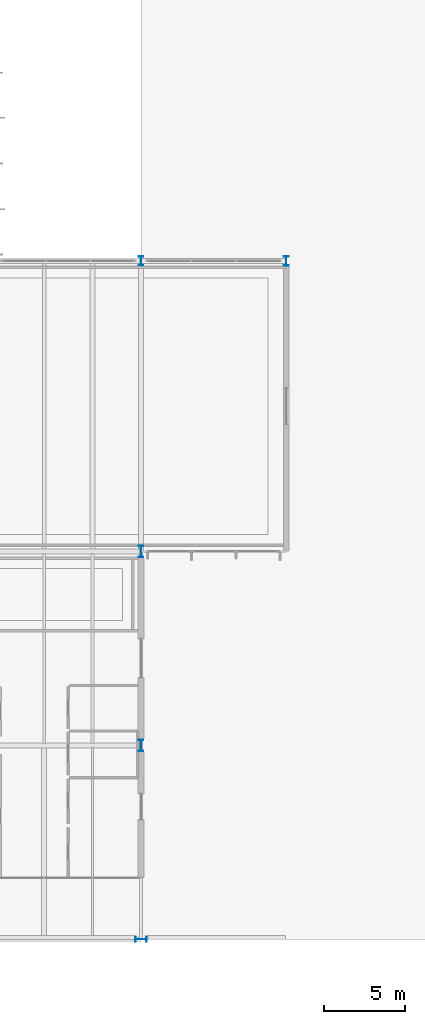
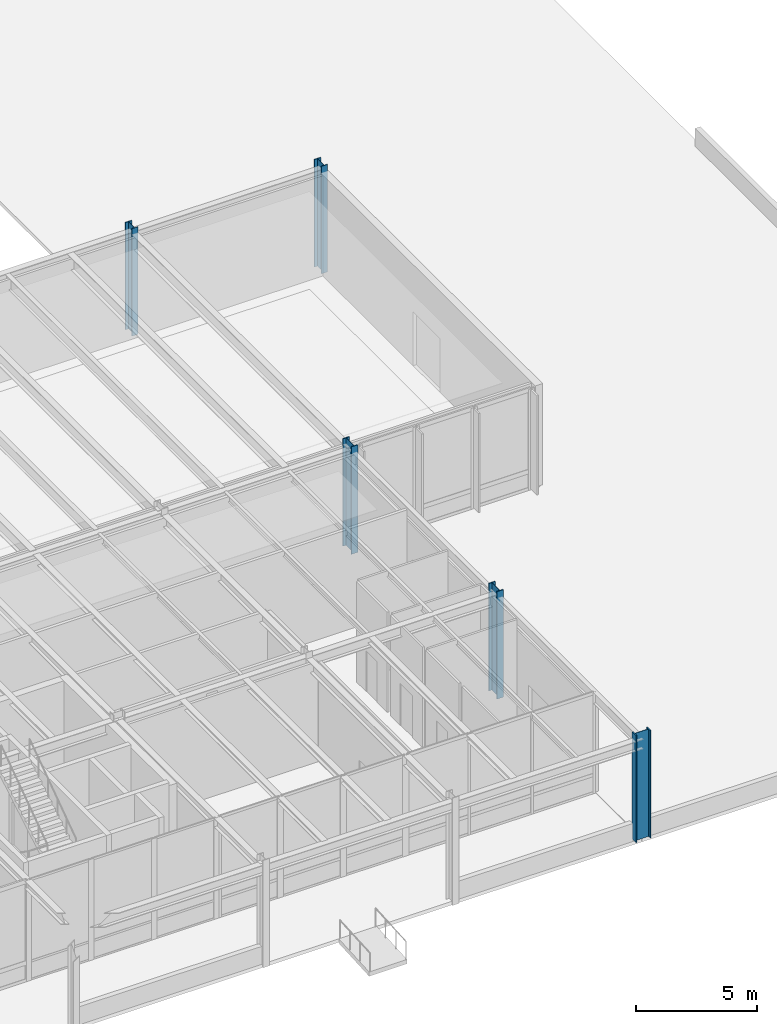
# One storey, part 16 of 143: 5 columns.
"""IFC4 building model written with IfcOpenShell, lengths in metres."""

from ifc_helpers import new_model, si_unit, direction, frame, origin, origin_2d, place, context, subcontext, project, spatial, i_section, extrude, material, material_profile, profile_set, type_object, element, save


model = new_model("IFC4")

# Units and contexts
model_context = context("Model", 3, precision=1e-05, world=origin(), true_north=direction((0.0, 1.0)))
body_context = subcontext(model_context, "Body", "Model", "MODEL_VIEW")
ifc_project = project(units=[si_unit("LENGTHUNIT", "METRE"), si_unit("AREAUNIT", "SQUARE_METRE"), si_unit("VOLUMEUNIT", "CUBIC_METRE"), si_unit("PLANEANGLEUNIT", "RADIAN"), si_unit("MASSUNIT", "GRAM", prefix="KILO")], contexts=[model_context])

# Site, building, storey
site_placement = place(None, origin())
site = spatial("IfcSite", under=ifc_project, at=site_placement, CompositionType="ELEMENT")
building_placement = place(site_placement, origin())
building = spatial("IfcBuilding", under=site, at=building_placement, Name="Montelvaro Courts of Justice", CompositionType="ELEMENT")
storey_placement = place(building_placement, origin())
storey = spatial("IfcBuildingStorey", under=building, at=storey_placement, Name="L00", CompositionType="ELEMENT", Elevation=0.0)

# Columns
ifc_material = material(Name="Steel S355", Category="steel")
ifc_material_profile_1 = material_profile(ifc_material, i_section(OverallWidth=0.300048828125, OverallDepth=0.550048828125, WebThickness=0.014892578125, FlangeThickness=0.029052734375, at=origin_2d()), Name="HEB 550")
ifc_profile_set_1 = profile_set([ifc_material_profile_1], Name="Steel S355")
column_type_1 = type_object("IfcColumnType", Name="Col_HEB550", PredefinedType="COLUMN", material=ifc_profile_set_1)
column_1_placement = place(storey_placement, frame((135.0, 42.0, 0.0), z_axis=(0.0, 0.0, 1.0), x_axis=(1.0, 0.0, 0.0)))
element("IfcColumn", 1, at=column_1_placement, inside=storey, type_object=column_type_1, Name="Column C-10 L00 16/D", PredefinedType="COLUMN", context=body_context, shape_type="SweptSolid", body=[
    extrude(i_section(OverallWidth=0.300048828125, OverallDepth=0.550048828125, WebThickness=0.014892578125, FlangeThickness=0.029052734375, at=origin_2d()), origin(), (0.0, 0.0, 1.0), 5.39990234375),
])
ifc_material_profile_2 = material_profile(ifc_material, i_section(OverallWidth=0.300048828125, OverallDepth=0.60009765625, WebThickness=0.015380859375, FlangeThickness=0.030029296875, at=origin_2d()), Name="HEB 600")
ifc_profile_set_2 = profile_set([ifc_material_profile_2], Name="Steel S355")
column_type_2 = type_object("IfcColumnType", Name="Col_HEB600", PredefinedType="COLUMN", material=ifc_profile_set_2)
column_2_placement = place(storey_placement, frame((144.0, 42.0, 0.0), z_axis=(0.0, 0.0, 1.0), x_axis=(1.0, 0.0, 0.0)))
element("IfcColumn", 2, at=column_2_placement, inside=storey, type_object=column_type_2, Name="Column C-11 L00 17/D", PredefinedType="COLUMN", context=body_context, shape_type="SweptSolid", body=[
    extrude(i_section(OverallWidth=0.300048828125, OverallDepth=0.60009765625, WebThickness=0.015380859375, FlangeThickness=0.030029296875, at=origin_2d()), origin(), (0.0, 0.0, 1.0), 5.39990234375),
])
ifc_material_profile_3 = material_profile(ifc_material, i_section(OverallWidth=0.303955078125, OverallDepth=0.716064453125, WebThickness=0.02099609375, FlangeThickness=0.0400390625, at=origin_2d()), Name="HEM 700")
ifc_profile_set_3 = profile_set([ifc_material_profile_3], Name="Steel S355")
column_type_3 = type_object("IfcColumnType", Name="Col_HEM700", PredefinedType="COLUMN", material=ifc_profile_set_3)
for number, where, z_axis, x_axis, name in (
    (3, (135.0, 0.0, 0.0), (0.0, 0.0, 1.0), (0.0, 1.0, 0.0), "Column C-16 L00 16/A"),
    (4, (135.0, 12.0, 0.0), (0.0, 0.0, 1.0), (1.0, 0.0, 0.0), "Column C-16 L00 16/B"),
    (5, (135.0, 24.0, 0.0), (0.0, 0.0, 1.0), (1.0, 0.0, 0.0), "Column C-16 L00 16/C"),
):
    element("IfcColumn", number, at=place(storey_placement, frame(where, z_axis=z_axis, x_axis=x_axis)), inside=storey, type_object=column_type_3, Name=name, PredefinedType="COLUMN", context=body_context, shape_type="SweptSolid", body=[
        extrude(i_section(OverallWidth=0.303955078125, OverallDepth=0.716064453125, WebThickness=0.02099609375, FlangeThickness=0.0400390625, at=origin_2d()), origin(), (0.0, 0.0, 1.0), 5.39990234375),
    ])

save(model, "model.ifc")
